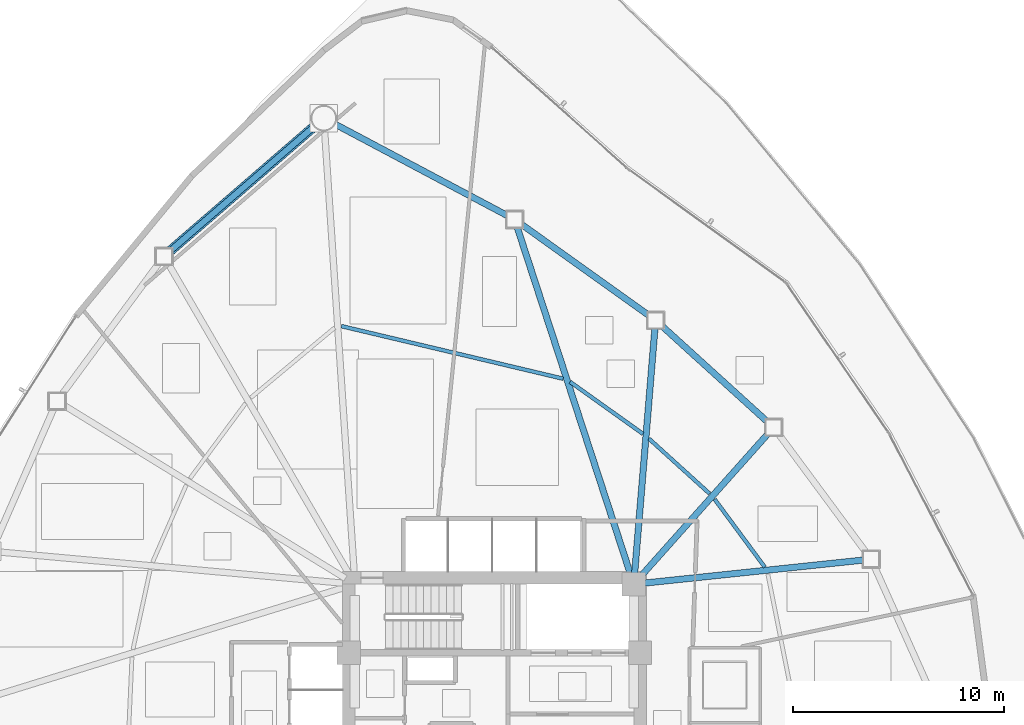
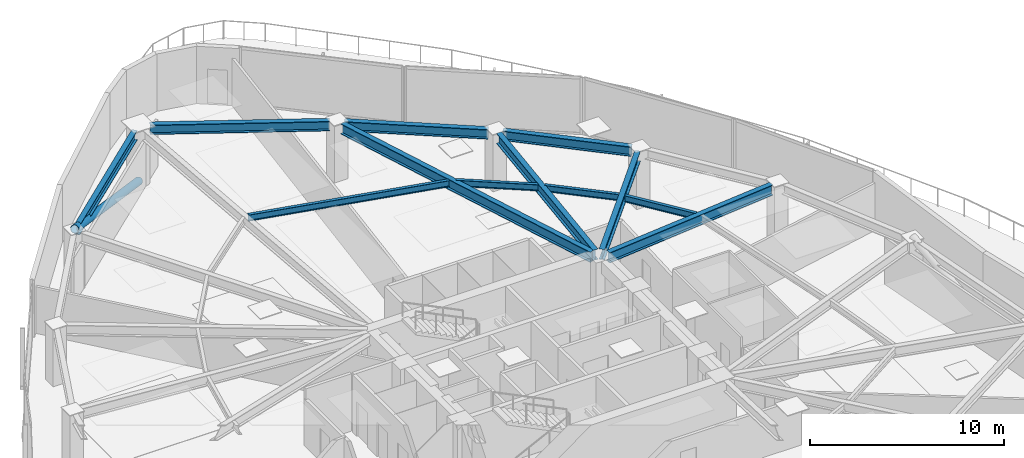
# One storey, part 8 of 19: 12 beams, 1 member.
"""IFC4 building model written with IfcOpenShell, lengths in metres."""

from ifc_helpers import new_model, si_unit, direction, frame, origin, origin_2d, place, context, subcontext, project, spatial, hollow_circle, i_section, extrude, material, material_profile, profile_set, type_object, element, save


model = new_model("IFC4")

# Units and contexts
model_context = context("Model", 3, precision=1e-05, world=origin(), true_north=direction((0.0, 1.0)))
body_context = subcontext(model_context, "Body", "Model", "MODEL_VIEW")
ifc_project = project(units=[si_unit("LENGTHUNIT", "METRE"), si_unit("AREAUNIT", "SQUARE_METRE"), si_unit("VOLUMEUNIT", "CUBIC_METRE"), si_unit("PLANEANGLEUNIT", "RADIAN"), si_unit("MASSUNIT", "GRAM", prefix="KILO")], contexts=[model_context])

# Site, building, storey
site_placement = place(None, origin())
site = spatial("IfcSite", under=ifc_project, at=site_placement, CompositionType="ELEMENT")
building_placement = place(site_placement, origin())
building = spatial("IfcBuilding", under=site, at=building_placement, Name="Tavelor Broadcast Tower", CompositionType="ELEMENT")
storey_placement = place(building_placement, frame((0.0, 0.0, 27.60009765625)))
storey = spatial("IfcBuildingStorey", under=building, at=storey_placement, Name="L05", CompositionType="ELEMENT", Elevation=27.60009765625)

# Beams
ifc_material = material(Name="Steel S355", Category="steel")
ifc_material_profile_1 = material_profile(ifc_material, i_section(OverallWidth=0.179931640625, OverallDepth=0.39990234375, WebThickness=0.008544921875, FlangeThickness=0.013427734375, at=origin_2d()), Name="IPE 400")
ifc_profile_set_1 = profile_set([ifc_material_profile_1], Name="Steel S355")
beam_type_1 = type_object("IfcBeamType", Name="Composite Floor Joist T1 IPE 400", PredefinedType="JOIST", material=ifc_profile_set_1)
beam_1_placement = place(storey_placement, frame((62.804443359375, 52.009521484375, 3.39990234375), z_axis=(-0.594288025828, 0.804252287754, 0.0), x_axis=(-0.804252287754, -0.594288025828, 0.0)))
element("IfcBeam", 1, at=beam_1_placement, inside=storey, type_object=beam_type_1, Name="L05 Secondary Composite Floor Joist 15", PredefinedType="JOIST", context=body_context, shape_type="SweptSolid", body=[
    extrude(i_section(OverallWidth=0.179931640625, OverallDepth=0.39990234375, WebThickness=0.008544921875, FlangeThickness=0.013427734375, at=origin_2d()), origin(), (0.0, 0.0, 1.0), 3.99755859375),
])
beam_2_placement = place(storey_placement, frame((60.18701171875, 55.49169921875, 3.39990234375), z_axis=(-0.740990869176, 0.67151510169, 0.0), x_axis=(-0.67151510169, -0.740990869176, 0.0)))
element("IfcBeam", 2, at=beam_2_placement, inside=storey, type_object=beam_type_1, Name="L05 Secondary Composite Floor Joist 16", PredefinedType="JOIST", context=body_context, shape_type="SweptSolid", body=[
    extrude(i_section(OverallWidth=0.179931640625, OverallDepth=0.39990234375, WebThickness=0.008544921875, FlangeThickness=0.013427734375, at=origin_2d()), origin(), (0.0, 0.0, 1.0), 3.8759765625),
])
beam_3_placement = place(storey_placement, frame((57.03369140625, 58.321044921875, 3.39990234375), z_axis=(-0.814052615916, 0.580791131579, 0.0), x_axis=(-0.580791131579, -0.814052615916, 0.0)))
element("IfcBeam", 3, at=beam_3_placement, inside=storey, type_object=beam_type_1, Name="L05 Secondary Composite Floor Joist 17", PredefinedType="JOIST", context=body_context, shape_type="SweptSolid", body=[
    extrude(i_section(OverallWidth=0.179931640625, OverallDepth=0.39990234375, WebThickness=0.008544921875, FlangeThickness=0.013427734375, at=origin_2d()), origin(), (0.0, 0.0, 1.0), 4.23681640625),
])
beam_4_placement = place(storey_placement, frame((53.260986328125, 60.9287109375, 3.39990234375), z_axis=(-0.973012053378, 0.230754293526, 0.0), x_axis=(-0.230754293526, -0.973012053378, 0.0)))
element("IfcBeam", 4, at=beam_4_placement, inside=storey, type_object=beam_type_1, Name="L05 Secondary Composite Floor Joist 18", PredefinedType="JOIST", context=body_context, shape_type="SweptSolid", body=[
    extrude(i_section(OverallWidth=0.179931640625, OverallDepth=0.39990234375, WebThickness=0.008544921875, FlangeThickness=0.013427734375, at=origin_2d()), origin(), (0.0, 0.0, 1.0), 10.797119140625),
])
ifc_material_profile_2 = material_profile(ifc_material, i_section(OverallWidth=0.300048828125, OverallDepth=0.60009765625, WebThickness=0.015380859375, FlangeThickness=0.030029296875, at=origin_2d()), Name="HEB 600")
ifc_profile_set_2 = profile_set([ifc_material_profile_2], Name="Steel S355")
beam_type_2 = type_object("IfcBeamType", Name="Perimeter Spandrel Beam T1 HEB 600", PredefinedType="SPANDREL", material=ifc_profile_set_2)
beam_5_placement = place(storey_placement, frame((41.48046875, 72.8837890625, 3.2998046875), z_axis=(-0.756663126242, -0.653804950566, 0.0), x_axis=(0.653804950566, -0.756663126242, 0.0)))
element("IfcBeam", 5, at=beam_5_placement, inside=storey, type_object=beam_type_2, Name="L05 Framed-Tube Ring Spandrel 01", PredefinedType="SPANDREL", context=body_context, shape_type="SweptSolid", body=[
    extrude(i_section(OverallWidth=0.300048828125, OverallDepth=0.60009765625, WebThickness=0.015380859375, FlangeThickness=0.030029296875, at=origin_2d()), origin(), (0.0, 0.0, 1.0), 9.031494140625),
])
beam_6_placement = place(storey_placement, frame((62.939697265625, 58.882080078125, 3.2998046875), z_axis=(-0.740415616175, 0.672149325168, 0.0), x_axis=(-0.672149325168, -0.740415616175, 0.0)))
element("IfcBeam", 6, at=beam_6_placement, inside=storey, type_object=beam_type_2, Name="L05 Framed-Tube Ring Spandrel 16", PredefinedType="SPANDREL", context=body_context, shape_type="SweptSolid", body=[
    extrude(i_section(OverallWidth=0.300048828125, OverallDepth=0.60009765625, WebThickness=0.015380859375, FlangeThickness=0.030029296875, at=origin_2d()), origin(), (0.0, 0.0, 1.0), 6.78076171875),
])
beam_7_placement = place(storey_placement, frame((57.322509765625, 63.921142578125, 3.2998046875), z_axis=(-0.813480467782, 0.581592235624, 0.0), x_axis=(-0.581592235624, -0.813480467782, 0.0)))
element("IfcBeam", 7, at=beam_7_placement, inside=storey, type_object=beam_type_2, Name="L05 Framed-Tube Ring Spandrel 17", PredefinedType="SPANDREL", context=body_context, shape_type="SweptSolid", body=[
    extrude(i_section(OverallWidth=0.300048828125, OverallDepth=0.60009765625, WebThickness=0.015380859375, FlangeThickness=0.030029296875, at=origin_2d()), origin(), (0.0, 0.0, 1.0), 7.43505859375),
])
beam_8_placement = place(storey_placement, frame((50.62255859375, 68.648681640625, 3.2998046875), z_axis=(-0.883283542259, 0.468839187755, 0.0), x_axis=(-0.468839187755, -0.883283542259, 0.0)))
element("IfcBeam", 8, at=beam_8_placement, inside=storey, type_object=beam_type_2, Name="L05 Framed-Tube Ring Spandrel 18", PredefinedType="SPANDREL", context=body_context, shape_type="SweptSolid", body=[
    extrude(i_section(OverallWidth=0.300048828125, OverallDepth=0.60009765625, WebThickness=0.015380859375, FlangeThickness=0.030029296875, at=origin_2d()), origin(), (0.0, 0.0, 1.0), 9.263916015625),
])

# Member
ifc_material_profile_3 = material_profile(ifc_material, hollow_circle(Radius=0.228515625, WallThickness=0.02001953125, at=origin_2d()), Name="CHS 457x20")
ifc_profile_set_3 = profile_set([ifc_material_profile_3], Name="Steel S355")
member_type = type_object("IfcMemberType", Name="Perimeter Tube Brace T1 CHS 457x20", PredefinedType="BRACE", material=ifc_profile_set_3)
member_placement = place(storey_placement, frame((41.923095703125, 73.266357421875, 0.0), z_axis=(-0.711928728007, -0.615179557123, 0.338691007758), x_axis=(0.653821967179, -0.756648422475, 0.0)))
element("IfcMember", 9, at=member_placement, inside=storey, type_object=member_type, Name="L05 Corner Tube Diagonal Brace 1", PredefinedType="BRACE", context=body_context, shape_type="SweptSolid", body=[
    extrude(hollow_circle(Radius=0.228515625, WallThickness=0.02001953125, at=origin_2d()), origin(), (0.0, 0.0, 1.0), 10.628662109375),
])

# Beams
ifc_material_profile_4 = material_profile(ifc_material, i_section(OverallWidth=0.300048828125, OverallDepth=0.64990234375, WebThickness=0.01611328125, FlangeThickness=0.031005859375, at=origin_2d()), Name="HEB 650")
ifc_profile_set_4 = profile_set([ifc_material_profile_4], Name="Steel S355")
beam_type_3 = type_object("IfcBeamType", Name="Radial Floor Girder T1 HEB 650", PredefinedType="BEAM", material=ifc_profile_set_4)
beam_9_placement = place(storey_placement, frame((57.125, 51.255126953125, 3.27490234375), z_axis=(0.994511502262, 0.104627299822, 0.0), x_axis=(-0.104627299822, 0.994511502262, 0.0)))
element("IfcBeam", 10, at=beam_9_placement, inside=storey, type_object=beam_type_3, Name="L05 Radial Primary Floor Girder 15", PredefinedType="BEAM", context=body_context, shape_type="SweptSolid", body=[
    extrude(i_section(OverallWidth=0.300048828125, OverallDepth=0.64990234375, WebThickness=0.01611328125, FlangeThickness=0.031005859375, at=origin_2d()), origin(), (0.0, 0.0, 1.0), 10.390869140625),
])
beam_10_placement = place(storey_placement, frame((56.951416015625, 51.593994140625, 3.27490234375), z_axis=(0.665781144197, 0.746147082036, 0.0), x_axis=(-0.746147082036, 0.665781144197, 0.0)))
element("IfcBeam", 11, at=beam_10_placement, inside=storey, type_object=beam_type_3, Name="L05 Radial Primary Floor Girder 16", PredefinedType="BEAM", context=body_context, shape_type="SweptSolid", body=[
    extrude(i_section(OverallWidth=0.300048828125, OverallDepth=0.64990234375, WebThickness=0.01611328125, FlangeThickness=0.031005859375, at=origin_2d()), origin(), (0.0, 0.0, 1.0), 9.03759765625),
])
beam_11_placement = place(storey_placement, frame((56.6435546875, 51.726318359375, 3.27490234375), z_axis=(0.08251031281, 0.996590210809, 0.0), x_axis=(-0.996590210809, 0.08251031281, 0.0)))
element("IfcBeam", 12, at=beam_11_placement, inside=storey, type_object=beam_type_3, Name="L05 Radial Primary Floor Girder 17", PredefinedType="BEAM", context=body_context, shape_type="SweptSolid", body=[
    extrude(i_section(OverallWidth=0.300048828125, OverallDepth=0.64990234375, WebThickness=0.01611328125, FlangeThickness=0.031005859375, at=origin_2d()), origin(), (0.0, 0.0, 1.0), 11.62841796875),
])
beam_12_placement = place(storey_placement, frame((56.43603515625, 51.701904296875, 3.27490234375), z_axis=(-0.310367857535, 0.950616533103, 0.0), x_axis=(-0.950616533103, -0.310367857535, 0.0)))
element("IfcBeam", 13, at=beam_12_placement, inside=storey, type_object=beam_type_3, Name="L05 Radial Primary Floor Girder 18", PredefinedType="BEAM", context=body_context, shape_type="SweptSolid", body=[
    extrude(i_section(OverallWidth=0.300048828125, OverallDepth=0.64990234375, WebThickness=0.01611328125, FlangeThickness=0.031005859375, at=origin_2d()), origin(), (0.0, 0.0, 1.0), 17.253662109375),
])

save(model, "model.ifc")
